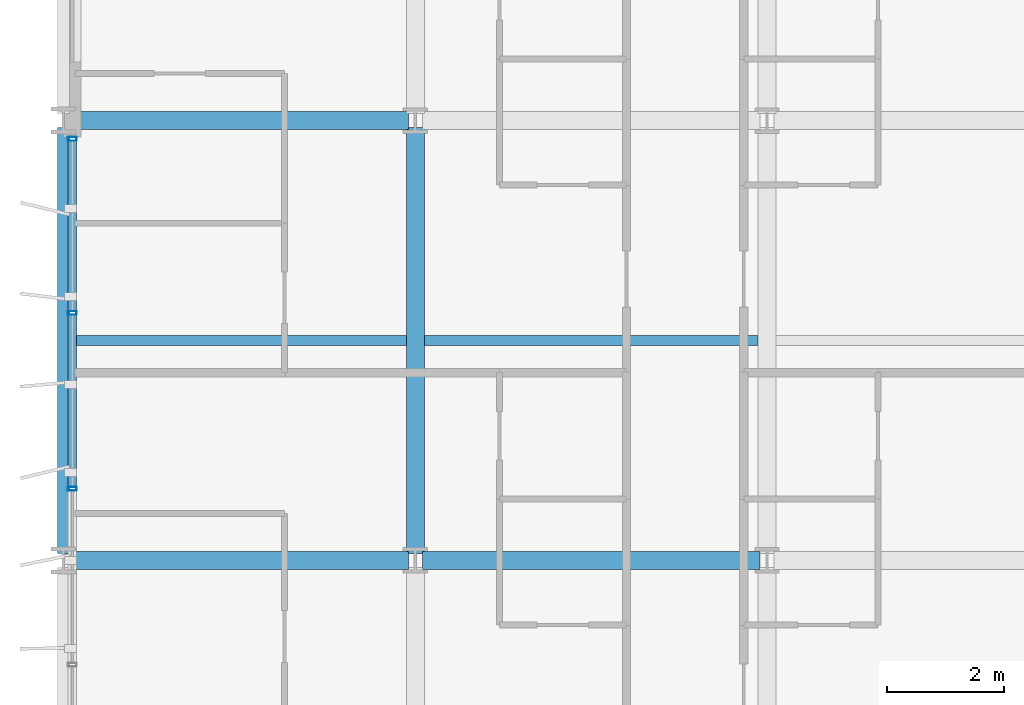
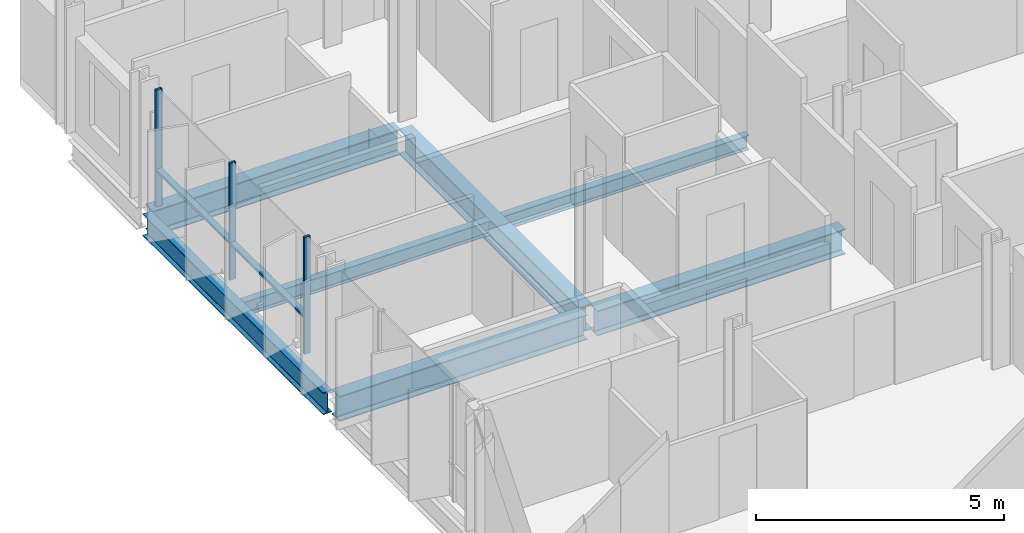
# One storey, part 5 of 39: 7 beams, 5 members, 1 element without a shape of its own.
"""IFC4 building model written with IfcOpenShell, lengths in metres."""

from ifc_helpers import new_model, si_unit, direction, frame, origin, origin_2d, place, context, subcontext, project, spatial, hollow_rectangle, i_section, extrude, material, layer, layer_set, material_profile, profile_set, type_object, element, aggregate, save


model = new_model("IFC4")

# Units and contexts
model_context = context("Model", 3, precision=1e-05, world=origin(), true_north=direction((0.0, 1.0)))
body_context = subcontext(model_context, "Body", "Model", "MODEL_VIEW")
ifc_project = project(units=[si_unit("LENGTHUNIT", "METRE"), si_unit("AREAUNIT", "SQUARE_METRE"), si_unit("VOLUMEUNIT", "CUBIC_METRE"), si_unit("PLANEANGLEUNIT", "RADIAN"), si_unit("MASSUNIT", "GRAM", prefix="KILO")], contexts=[model_context])

# Site, building, storey
site_placement = place(None, origin())
site = spatial("IfcSite", under=ifc_project, at=site_placement, CompositionType="ELEMENT")
building_placement = place(site_placement, origin())
building = spatial("IfcBuilding", under=site, at=building_placement, Name="Brevholm Reach", CompositionType="ELEMENT")
storey_placement = place(building_placement, frame((0.0, 0.0, 77.60009765625)))
storey = spatial("IfcBuildingStorey", under=building, at=storey_placement, Name="L22", CompositionType="ELEMENT", Elevation=77.60009765625)

# Beams
ifc_material_1 = material(Name="Structural Steel S355J2", Category="steel")
ifc_material_profile_1 = material_profile(ifc_material_1, i_section(OverallWidth=0.17138671875, OverallDepth=0.35498046875, WebThickness=0.00732421875, FlangeThickness=0.011474609375, FilletRadius=0.01025390625, at=origin_2d()), Name="UKB 356x171x51")
ifc_profile_set_1 = profile_set([ifc_material_profile_1], Name="Structural Steel S355J2")
beam_type_1 = type_object("IfcBeamType", Name="BM-B356", PredefinedType="BEAM", material=ifc_profile_set_1)
beam_1_placement = place(storey_placement, frame((0.10546875, 19.75, -0.40771484375), z_axis=(1.0, 0.0, 0.0), x_axis=(0.0, 1.0, 0.0)))
element("IfcBeam", 1, at=beam_1_placement, inside=storey, type_object=beam_type_1, Name="L22 Composite Secondary Floor Beam", PredefinedType="BEAM", context=body_context, shape_type="SweptSolid", body=[
    extrude(i_section(OverallWidth=0.17138671875, OverallDepth=0.35498046875, WebThickness=0.00732421875, FlangeThickness=0.011474609375, FilletRadius=0.01025390625, at=origin_2d()), origin(), (0.0, 0.0, 1.0), 5.740966796875),
])
beam_2_placement = place(storey_placement, frame((6.153564453125, 19.75, -0.40771484375), z_axis=(1.0, 0.0, 0.0), x_axis=(0.0, 1.0, 0.0)))
element("IfcBeam", 2, at=beam_2_placement, inside=storey, type_object=beam_type_1, Name="L22 Composite Secondary Floor Beam", PredefinedType="BEAM", context=body_context, shape_type="SweptSolid", body=[
    extrude(i_section(OverallWidth=0.17138671875, OverallDepth=0.35498046875, WebThickness=0.00732421875, FlangeThickness=0.011474609375, FilletRadius=0.01025390625, at=origin_2d()), origin(), (0.0, 0.0, 1.0), 5.69287109375),
])
ifc_material_2 = material(Name="Structural Steel S355J2", Category="steel")
ifc_material_profile_2 = material_profile(ifc_material_2, i_section(OverallWidth=0.210693359375, OverallDepth=0.53955078125, WebThickness=0.01171875, FlangeThickness=0.018798828125, FilletRadius=0.0126953125, at=origin_2d()), Name="UKB 533x210x109")
ifc_profile_set_2 = profile_set([ifc_material_profile_2], Name="Structural Steel S355J2")
beam_type_2 = type_object("IfcBeamType", Name="BM-SP539", PredefinedType="SPANDREL", material=ifc_profile_set_2)
beam_3_placement = place(storey_placement, frame((0.0, 16.1201171875, -0.499755859375), z_axis=(0.0, 1.0, 0.0), x_axis=(-1.0, 0.0, 0.0)))
element("IfcBeam", 3, at=beam_3_placement, inside=storey, type_object=beam_type_2, Name="L22 SP-01B Framing Beam", PredefinedType="SPANDREL", context=body_context, shape_type="SweptSolid", body=[
    extrude(i_section(OverallWidth=0.210693359375, OverallDepth=0.53955078125, WebThickness=0.01171875, FlangeThickness=0.018798828125, FilletRadius=0.0126953125, at=origin_2d()), origin(), (0.0, 0.0, 1.0), 7.259765625),
])
ifc_material_3 = material(Name="Structural Steel S355J2", Category="steel")
ifc_material_profile_3 = material_profile(ifc_material_3, i_section(OverallWidth=0.30712890625, OverallDepth=0.6201171875, WebThickness=0.01416015625, FlangeThickness=0.023681640625, FilletRadius=0.0166015625, at=origin_2d()), Name="UKB 610x305x179")
ifc_profile_set_3 = profile_set([ifc_material_profile_3], Name="Structural Steel S355J2")
beam_type_3 = type_object("IfcBeamType", Name="BM-UKB610H", PredefinedType="USERDEFINED", material=ifc_profile_set_3)
for number, where, z_axis, x_axis, name in (
    (4, (0.1201171875, 16.0, -0.540283203125), (1.0, 0.0, 0.0), (0.0, 1.0, 0.0), "L22 G-06 Framing Beam"),
    (5, (6.1201171875, 16.0, -0.540283203125), (1.0, 0.0, 0.0), (0.0, 1.0, 0.0), "L22 G-06 Framing Beam"),
    (6, (0.1201171875, 23.5, -0.540283203125), (1.0, 0.0, 0.0), (0.0, 1.0, 0.0), "L22 G-06 Framing Beam"),
):
    element("IfcBeam", number, at=place(storey_placement, frame(where, z_axis=z_axis, x_axis=x_axis)), inside=storey, type_object=beam_type_3, Name=name, ObjectType="GIRDER", PredefinedType="USERDEFINED", context=body_context, shape_type="SweptSolid", body=[
        extrude(i_section(OverallWidth=0.30712890625, OverallDepth=0.6201171875, WebThickness=0.01416015625, FlangeThickness=0.023681640625, FilletRadius=0.0166015625, at=origin_2d()), origin(), (0.0, 0.0, 1.0), 5.759765625),
    ])
beam_4_placement = place(storey_placement, frame((6.0, 16.1201171875, -0.540283203125), z_axis=(0.0, 1.0, 0.0), x_axis=(-1.0, 0.0, 0.0)))
element("IfcBeam", 7, at=beam_4_placement, inside=storey, type_object=beam_type_3, Name="L22 G-06 Framing Beam", ObjectType="GIRDER", PredefinedType="USERDEFINED", context=body_context, shape_type="SweptSolid", body=[
    extrude(i_section(OverallWidth=0.30712890625, OverallDepth=0.6201171875, WebThickness=0.01416015625, FlangeThickness=0.023681640625, FilletRadius=0.0166015625, at=origin_2d()), origin(), (0.0, 0.0, 1.0), 7.259765625),
])

# Curtain wall, members
ifc_material_4 = material(Name="Dark Anodised Aluminium 6063-T6 and Solar-Control Glass", Category="aluminium")
ifc_layer = layer(ifc_material_4, 0.14990234375)
ifc_layer_set = layer_set([ifc_layer], Name="Dark Anodised Aluminium 6063-T6 and Solar-Control Glass")
curtain_wall_type = type_object("IfcCurtainWallType", Name="CW-01", PredefinedType="NOTDEFINED", material=ifc_layer_set)
curtain_wall_placement = place(storey_placement, origin())
curtain_wall = element("IfcCurtainWall", 8, at=curtain_wall_placement, inside=storey, type_object=curtain_wall_type, Name="L22 Curtain Wall CW-01", PredefinedType="NOTDEFINED")
ifc_material_5 = material(Name="Dark Anodised Aluminium 6063-T6", Category="aluminium")
ifc_material_profile_4 = material_profile(ifc_material_5, hollow_rectangle(XDim=0.06494140625, YDim=0.14990234375, WallThickness=0.0048828125, InnerFilletRadius=0.0048828125, OuterFilletRadius=0.010009765625, at=origin_2d()), Name="RHS 150x65x5")
ifc_profile_set_4 = profile_set([ifc_material_profile_4], Name="Dark Anodised Aluminium 6063-T6")
member_type_1 = type_object("IfcMemberType", Name="CWM-150", PredefinedType="MULLION", material=ifc_profile_set_4)
member_1_placement = place(storey_placement, frame((0.14990234375, 23.1875, 0.0), z_axis=(0.0, 0.0, 1.0), x_axis=(0.0, -1.0, 0.0)))
member_1 = element("IfcMember", 9, at=member_1_placement, type_object=member_type_1, Name="CM-150 Mullion 1", PredefinedType="MULLION", context=body_context, shape_type="SweptSolid", body=[
    extrude(hollow_rectangle(XDim=0.06494140625, YDim=0.14990234375, WallThickness=0.0048828125, InnerFilletRadius=0.0048828125, OuterFilletRadius=0.010009765625, at=origin_2d()), origin(), (0.0, 0.0, 1.0), 2.869873046875),
])
member_2_placement = place(storey_placement, frame((0.14990234375, 20.219970703125, 0.0), z_axis=(0.0, 0.0, 1.0), x_axis=(0.0, -1.0, 0.0)))
member_2 = element("IfcMember", 10, at=member_2_placement, type_object=member_type_1, Name="CM-150 Mullion 2", PredefinedType="MULLION", context=body_context, shape_type="SweptSolid", body=[
    extrude(hollow_rectangle(XDim=0.06494140625, YDim=0.14990234375, WallThickness=0.0048828125, InnerFilletRadius=0.0048828125, OuterFilletRadius=0.010009765625, at=origin_2d()), origin(), (0.0, 0.0, 1.0), 2.869873046875),
])
member_3_placement = place(storey_placement, frame((0.14990234375, 17.219970703125, 0.0), z_axis=(0.0, 0.0, 1.0), x_axis=(0.0, -1.0, 0.0)))
member_3 = element("IfcMember", 11, at=member_3_placement, type_object=member_type_1, Name="CM-150 Mullion 3", PredefinedType="MULLION", context=body_context, shape_type="SweptSolid", body=[
    extrude(hollow_rectangle(XDim=0.06494140625, YDim=0.14990234375, WallThickness=0.0048828125, InnerFilletRadius=0.0048828125, OuterFilletRadius=0.010009765625, at=origin_2d()), origin(), (0.0, 0.0, 1.0), 2.869873046875),
])
ifc_material_6 = material(Name="Dark Anodised Aluminium 6063-T6", Category="aluminium")
ifc_material_profile_5 = material_profile(ifc_material_6, hollow_rectangle(XDim=0.06494140625, YDim=0.14990234375, WallThickness=0.0048828125, InnerFilletRadius=0.0048828125, OuterFilletRadius=0.010009765625, at=origin_2d()), Name="RHS 150x65x5")
ifc_profile_set_5 = profile_set([ifc_material_profile_5], Name="Dark Anodised Aluminium 6063-T6")
member_type_2 = type_object("IfcMemberType", Name="CWT-150", PredefinedType="NOTDEFINED", material=ifc_profile_set_5)
member_4_placement = place(storey_placement, frame((0.14990234375, 23.155029296875, 0.89990234375), z_axis=(0.0, -1.0, 0.0), x_axis=(0.0, 0.0, 1.0)))
member_4 = element("IfcMember", 12, at=member_4_placement, type_object=member_type_2, Name="CT-150 Transom 1.1", ObjectType="TRANSOM", PredefinedType="USERDEFINED", context=body_context, shape_type="SweptSolid", body=[
    extrude(hollow_rectangle(XDim=0.06494140625, YDim=0.14990234375, WallThickness=0.0048828125, InnerFilletRadius=0.0048828125, OuterFilletRadius=0.010009765625, at=origin_2d()), origin(), (0.0, 0.0, 1.0), 2.902587890625),
])
member_5_placement = place(storey_placement, frame((0.14990234375, 20.1875, 0.89990234375), z_axis=(0.0, -1.0, 0.0), x_axis=(0.0, 0.0, 1.0)))
member_5 = element("IfcMember", 13, at=member_5_placement, type_object=member_type_2, Name="CT-150 Transom 2.1", ObjectType="TRANSOM", PredefinedType="USERDEFINED", context=body_context, shape_type="SweptSolid", body=[
    extrude(hollow_rectangle(XDim=0.06494140625, YDim=0.14990234375, WallThickness=0.0048828125, InnerFilletRadius=0.0048828125, OuterFilletRadius=0.010009765625, at=origin_2d()), origin(), (0.0, 0.0, 1.0), 2.93505859375),
])
aggregate(curtain_wall, [member_1, member_2, member_3, member_4, member_5])

save(model, "model.ifc")
